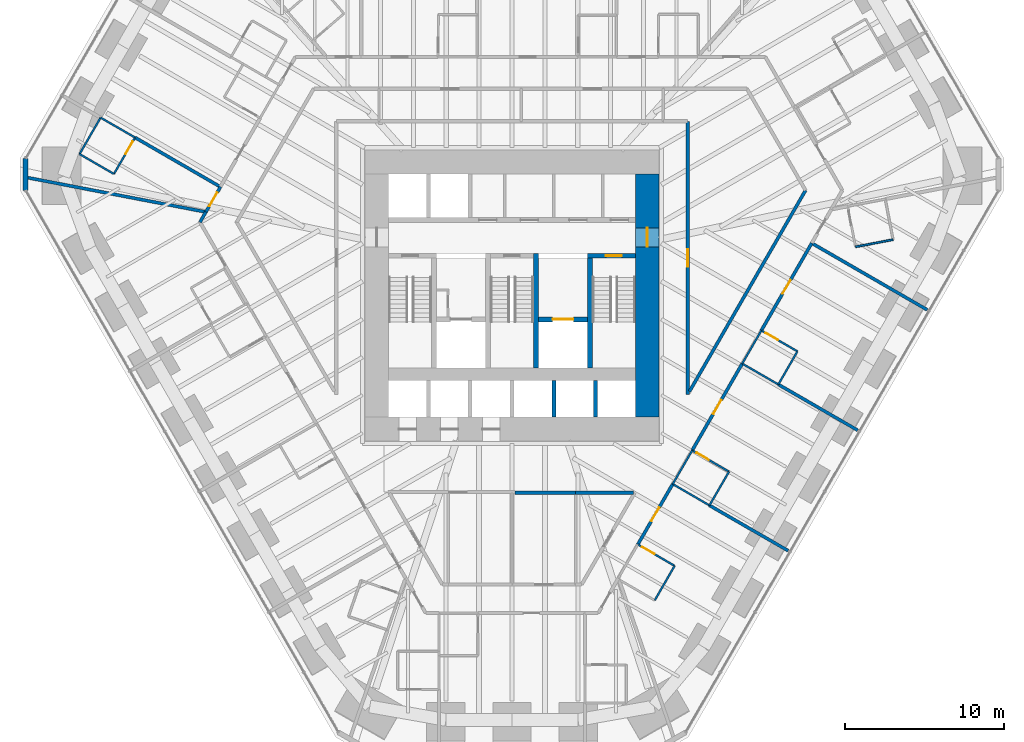
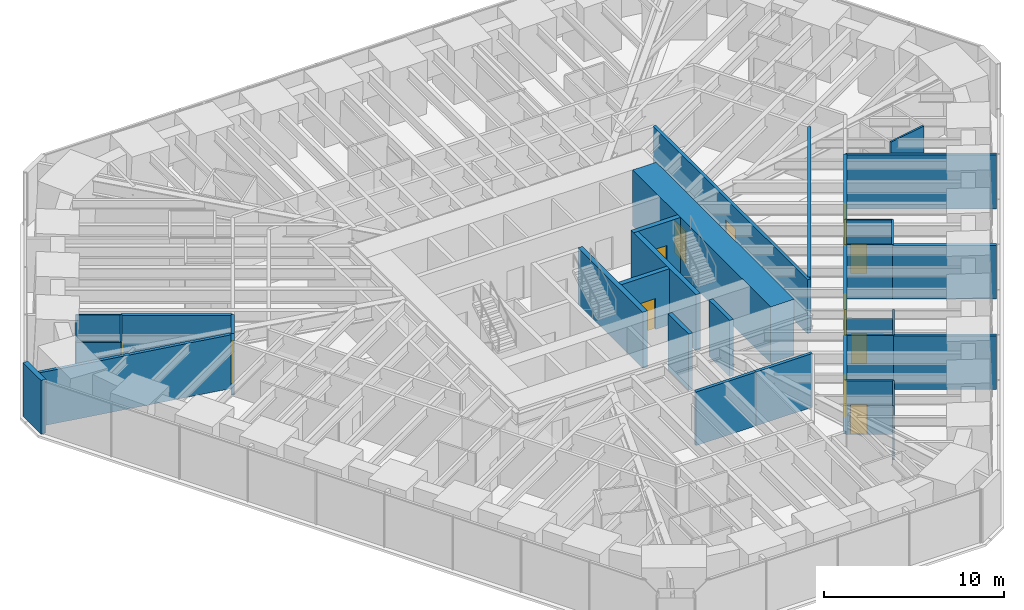
# One storey, part 13 of 17: 37 walls, 12 doors, 12 openings.
"""IFC4 building model written with IfcOpenShell, lengths in metres."""

from ifc_helpers import new_model, si_unit, direction, frame, frame_2d, origin, place, context, subcontext, project, spatial, rectangle, extrude, material, layer, layer_set, type_object, element, fill, save


model = new_model("IFC4")

# Units and contexts
model_context = context("Model", 3, precision=1e-05, world=origin(), true_north=direction((0.0, 1.0)))
body_context = subcontext(model_context, "Body", "Model", "MODEL_VIEW")
ifc_project = project(units=[si_unit("LENGTHUNIT", "METRE"), si_unit("AREAUNIT", "SQUARE_METRE"), si_unit("VOLUMEUNIT", "CUBIC_METRE"), si_unit("PLANEANGLEUNIT", "RADIAN"), si_unit("MASSUNIT", "GRAM", prefix="KILO")], contexts=[model_context])

# Site, building, storey
site_placement = place(None, origin())
site = spatial("IfcSite", under=ifc_project, at=site_placement, CompositionType="ELEMENT")
building_placement = place(site_placement, origin())
building = spatial("IfcBuilding", under=site, at=building_placement, Name="Sandreach Pilgrim Tower", CompositionType="ELEMENT")
storey_placement = place(building_placement, frame((0.0, 0.0, 64.800048828125)))
storey = spatial("IfcBuildingStorey", under=building, at=storey_placement, Name="L15", CompositionType="ELEMENT", Elevation=64.800048828125)

# Walls
ifc_material_1 = material(Name="Moisture-resistant gypsum board on steel studs", Category="steel")
ifc_layer_1 = layer(ifc_material_1, 0.1201171875)
ifc_layer_set_1 = layer_set([ifc_layer_1], Name="Bathroom partition 120")
wall_type_1 = type_object("IfcWallType", Name="Bathroom partition 120", PredefinedType="PARTITIONING", material=ifc_layer_set_1)
wall_1_placement = place(storey_placement, frame((-27.179931640625, 7.340087890625, 0.0), z_axis=(0.0, 0.0, 1.0), x_axis=(0.865508881864, -0.500893576935, 0.0)))
element("IfcWall", 1, at=wall_1_placement, inside=storey, type_object=wall_type_1, Name="Bathroom partition L15-003", PredefinedType="PARTITIONING", context=body_context, shape_type="SweptSolid", body=[
    extrude(rectangle(XDim=2.49560546875, YDim=0.1201171875, at=frame_2d((1.247802734375, 0.0))), origin(), (0.0, 0.0, 1.0), 3.639892578125),
])
wall_2_placement = place(storey_placement, frame((-25.860107421875, 9.6298828125, 0.0), z_axis=(0.0, 0.0, 1.0), x_axis=(-0.499378545839, -0.866383903334, 0.0)))
element("IfcWall", 2, at=wall_2_placement, inside=storey, type_object=wall_type_1, Name="Bathroom partition L15-004", PredefinedType="PARTITIONING", context=body_context, shape_type="SweptSolid", body=[
    extrude(rectangle(XDim=2.642822265625, YDim=0.1201171875, at=frame_2d((1.3212890625, 0.0))), origin(), (0.0, 0.0, 1.0), 3.639892578125),
])
wall_3_placement = place(storey_placement, frame((-25.860107421875, 9.6298828125, 0.0), z_axis=(0.0, 0.0, 1.0), x_axis=(0.86653430447, -0.499117520406, 0.0)))
element("IfcWall", 3, at=wall_3_placement, inside=storey, type_object=wall_type_1, Name="Bathroom partition L15-005", PredefinedType="PARTITIONING", context=body_context, shape_type="SweptSolid", body=[
    extrude(rectangle(XDim=2.50439453125, YDim=0.1201171875, at=frame_2d((1.252197265625, 0.0))), origin(), (0.0, 0.0, 1.0), 3.639892578125),
])

# Wall, opening, door
wall_4_placement = place(storey_placement, frame((-25.02001953125, 6.090087890625, 0.0), z_axis=(0.0, 0.0, 1.0), x_axis=(0.502282305835, 0.864703697948, 0.0)))
wall_4 = element("IfcWall", 4, at=wall_4_placement, inside=storey, type_object=wall_type_1, Name="Bathroom partition L15-006", PredefinedType="PARTITIONING", context=body_context, shape_type="SweptSolid", body=[
    extrude(rectangle(XDim=2.64794921875, YDim=0.1201171875, at=frame_2d((1.323974609375, 0.0))), origin(), (0.0, 0.0, 1.0), 3.639892578125),
])
opening_1_placement = place(wall_4_placement, frame((1.4482421875, 0.0, 0.0)))
opening_1 = element("IfcOpeningElement", 5, at=opening_1_placement, cuts=wall_4, Name="Opening D09-18B", PredefinedType="OPENING", context=body_context, shape_type="SweptSolid", body=[
    extrude(rectangle(XDim=0.89990234375, YDim=2.030029296875, at=frame_2d((0.449951171875, 1.01513671875))), frame((0.0, 0.06005859375, 0.0), z_axis=(0.0, -1.0, 0.0), x_axis=(1.0, 0.0, 0.0)), (0.0, 0.0, 1.0), 0.1201171875),
])
ifc_material_2 = material(Name="Timber door, steel frame", Category="steel")
door_type_1 = type_object("IfcDoorType", Name="Bathroom door", OperationType="SINGLE_SWING_LEFT", PredefinedType="DOOR", material=ifc_material_2)
door_1_placement = place(opening_1_placement, origin())
door_1 = element("IfcDoor", 6, at=door_1_placement, inside=storey, type_object=door_type_1, Name="Door 1518B", OperationType="SINGLE_SWING_RIGHT", OverallHeight=2.030029296875, OverallWidth=0.89990234375, PredefinedType="DOOR", context=body_context, shape_type="SweptSolid", body=[
    extrude(rectangle(XDim=0.89990234375, YDim=2.030029296875, at=frame_2d((0.449951171875, 1.01513671875))), frame((0.0, 0.02490234375, 0.0), z_axis=(0.0, -1.0, 0.0), x_axis=(1.0, 0.0, 0.0)), (0.0, 0.0, 1.0), 0.050048828125),
])
fill(opening_1, door_1)

# Walls
wall_5_placement = place(storey_placement, frame((8.969970703125, -20.7099609375, 0.0), z_axis=(0.0, 0.0, 1.0), x_axis=(0.499159685399, 0.866510016372, 0.0)))
element("IfcWall", 7, at=wall_5_placement, inside=storey, type_object=wall_type_1, Name="Bathroom partition L15-115", PredefinedType="PARTITIONING", context=body_context, shape_type="SweptSolid", body=[
    extrude(rectangle(XDim=2.504150390625, YDim=0.1201171875, at=frame_2d((1.251953125, 0.0))), origin(), (0.0, 0.0, 1.0), 3.639892578125),
])
wall_6_placement = place(storey_placement, frame((10.10009765625, -13.39990234375, 0.0), z_axis=(0.0, 0.0, 1.0), x_axis=(0.501856726365, 0.86495076519, 0.0)))
element("IfcWall", 8, at=wall_6_placement, inside=storey, type_object=wall_type_1, Name="Bathroom partition L15-121", PredefinedType="PARTITIONING", context=body_context, shape_type="SweptSolid", body=[
    extrude(rectangle(XDim=2.450927734375, YDim=0.1201171875, at=frame_2d((1.2255859375, 0.0))), origin(), (0.0, 0.0, 1.0), 3.639892578125),
])
wall_7_placement = place(storey_placement, frame((10.10009765625, -13.39990234375, 0.0), z_axis=(0.0, 0.0, 1.0), x_axis=(0.864966903181, -0.501828911485, 0.0)))
element("IfcWall", 9, at=wall_7_placement, inside=storey, type_object=wall_type_1, Name="Bathroom partition L15-122", PredefinedType="PARTITIONING", context=body_context, shape_type="SweptSolid", body=[
    extrude(rectangle(XDim=2.67041015625, YDim=0.1201171875, at=frame_2d((1.335205078125, 0.0))), origin(), (0.0, 0.0, 1.0), 3.639892578125),
])

# Wall, opening, door
wall_8_placement = place(storey_placement, frame((10.219970703125, -18.5400390625, 0.0), z_axis=(0.0, 0.0, 1.0), x_axis=(-0.86498992408, 0.501789229896, 0.0)))
wall_8 = element("IfcWall", 10, at=wall_8_placement, inside=storey, type_object=wall_type_1, Name="Bathroom partition L15-124", PredefinedType="PARTITIONING", context=body_context, shape_type="SweptSolid", body=[
    extrude(rectangle(XDim=2.670654296875, YDim=0.1201171875, at=frame_2d((1.33544921875, 0.0))), origin(), (0.0, 0.0, 1.0), 3.639892578125),
])
opening_2_placement = place(wall_8_placement, frame((1.470458984375, 0.0, 0.0)))
opening_2 = element("IfcOpeningElement", 11, at=opening_2_placement, cuts=wall_8, Name="Opening D09-10B", PredefinedType="OPENING", context=body_context, shape_type="SweptSolid", body=[
    extrude(rectangle(XDim=0.89990234375, YDim=2.030029296875, at=frame_2d((0.449951171875, 1.01513671875))), frame((0.0, 0.06005859375, 0.0), z_axis=(0.0, -1.0, 0.0), x_axis=(1.0, 0.0, 0.0)), (0.0, 0.0, 1.0), 0.1201171875),
])
door_2_placement = place(opening_2_placement, origin())
door_2 = element("IfcDoor", 12, at=door_2_placement, inside=storey, type_object=door_type_1, Name="Door 1510B", OperationType="SINGLE_SWING_RIGHT", OverallHeight=2.030029296875, OverallWidth=0.89990234375, PredefinedType="DOOR", context=body_context, shape_type="SweptSolid", body=[
    extrude(rectangle(XDim=0.89990234375, YDim=2.030029296875, at=frame_2d((0.449951171875, 1.01513671875))), frame((0.0, 0.02490234375, 0.0), z_axis=(0.0, -1.0, 0.0), x_axis=(1.0, 0.0, 0.0)), (0.0, 0.0, 1.0), 0.050048828125),
])
fill(opening_2, door_2)

# Wall
wall_9_placement = place(storey_placement, frame((12.409912109375, -14.739990234375, 0.0), z_axis=(0.0, 0.0, 1.0), x_axis=(0.501813488763, 0.864975850817, 0.0)))
element("IfcWall", 13, at=wall_9_placement, inside=storey, type_object=wall_type_1, Name="Bathroom partition L15-132", PredefinedType="PARTITIONING", context=body_context, shape_type="SweptSolid", body=[
    extrude(rectangle(XDim=2.451171875, YDim=0.1201171875, at=frame_2d((1.2255859375, 0.0))), origin(), (0.0, 0.0, 1.0), 3.639892578125),
])

# Wall, opening, door
wall_10_placement = place(storey_placement, frame((13.639892578125, -12.6201171875, 0.0), z_axis=(0.0, 0.0, 1.0), x_axis=(-0.864966903181, 0.501828911485, 0.0)))
wall_10 = element("IfcWall", 14, at=wall_10_placement, inside=storey, type_object=wall_type_1, Name="Bathroom partition L15-133", PredefinedType="PARTITIONING", context=body_context, shape_type="SweptSolid", body=[
    extrude(rectangle(XDim=2.67041015625, YDim=0.1201171875, at=frame_2d((1.335205078125, 0.0))), origin(), (0.0, 0.0, 1.0), 3.0380859375),
])
opening_3_placement = place(wall_10_placement, frame((1.470458984375, 0.0, 0.0)))
opening_3 = element("IfcOpeningElement", 15, at=opening_3_placement, cuts=wall_10, Name="Opening D09-09B", PredefinedType="OPENING", context=body_context, shape_type="SweptSolid", body=[
    extrude(rectangle(XDim=0.89990234375, YDim=2.030029296875, at=frame_2d((0.449951171875, 1.01513671875))), frame((0.0, 0.06005859375, 0.0), z_axis=(0.0, -1.0, 0.0), x_axis=(1.0, 0.0, 0.0)), (0.0, 0.0, 1.0), 0.1201171875),
])
door_3_placement = place(opening_3_placement, origin())
door_3 = element("IfcDoor", 16, at=door_3_placement, inside=storey, type_object=door_type_1, Name="Door 1509B", OperationType="SINGLE_SWING_RIGHT", OverallHeight=2.030029296875, OverallWidth=0.89990234375, PredefinedType="DOOR", context=body_context, shape_type="SweptSolid", body=[
    extrude(rectangle(XDim=0.89990234375, YDim=2.030029296875, at=frame_2d((0.449951171875, 1.01513671875))), frame((0.0, 0.02490234375, 0.0), z_axis=(0.0, -1.0, 0.0), x_axis=(1.0, 0.0, 0.0)), (0.0, 0.0, 1.0), 0.050048828125),
])
fill(opening_3, door_3)

# Walls
wall_11_placement = place(storey_placement, frame((14.469970703125, -5.830078125, 0.0), z_axis=(0.0, 0.0, 1.0), x_axis=(0.499693115345, 0.866202511239, 0.0)))
element("IfcWall", 17, at=wall_11_placement, inside=storey, type_object=wall_type_1, Name="Bathroom partition L15-134", PredefinedType="PARTITIONING", context=body_context, shape_type="SweptSolid", body=[
    extrude(rectangle(XDim=2.4013671875, YDim=0.1201171875, at=frame_2d((1.20068359375, 0.0))), origin(), (0.0, 0.0, 1.0), 3.639892578125),
])
wall_12_placement = place(storey_placement, frame((14.469970703125, -5.830078125, 0.0), z_axis=(0.0, 0.0, 1.0), x_axis=(0.866010296064, -0.500026166427, 0.0)))
element("IfcWall", 18, at=wall_12_placement, inside=storey, type_object=wall_type_1, Name="Bathroom partition L15-135", PredefinedType="PARTITIONING", context=body_context, shape_type="SweptSolid", body=[
    extrude(rectangle(XDim=2.620849609375, YDim=0.1201171875, at=frame_2d((1.310546875, 0.0))), origin(), (0.0, 0.0, 1.0), 3.639892578125),
])
wall_13_placement = place(storey_placement, frame((16.739990234375, -7.139892578125, 0.0), z_axis=(0.0, 0.0, 1.0), x_axis=(0.499737123639, 0.866177122335, 0.0)))
element("IfcWall", 19, at=wall_13_placement, inside=storey, type_object=wall_type_1, Name="Bathroom partition L15-141", PredefinedType="PARTITIONING", context=body_context, shape_type="SweptSolid", body=[
    extrude(rectangle(XDim=2.401123046875, YDim=0.1201171875, at=frame_2d((1.20068359375, 0.0))), origin(), (0.0, 0.0, 1.0), 3.639892578125),
])

# Wall, opening, door
wall_14_placement = place(storey_placement, frame((17.93994140625, -5.06005859375, 0.0), z_axis=(0.0, 0.0, 1.0), x_axis=(-0.866114241029, 0.499846097802, 0.0)))
wall_14 = element("IfcWall", 20, at=wall_14_placement, inside=storey, type_object=wall_type_1, Name="Bathroom partition L15-147", PredefinedType="PARTITIONING", context=body_context, shape_type="SweptSolid", body=[
    extrude(rectangle(XDim=2.620849609375, YDim=0.1201171875, at=frame_2d((1.310546875, 0.0))), origin(), (0.0, 0.0, 1.0), 3.639892578125),
])
opening_4_placement = place(wall_14_placement, frame((1.4208984375, 0.0, 0.0)))
opening_4 = element("IfcOpeningElement", 21, at=opening_4_placement, cuts=wall_14, Name="Opening D09-08B", PredefinedType="OPENING", context=body_context, shape_type="SweptSolid", body=[
    extrude(rectangle(XDim=0.89990234375, YDim=2.030029296875, at=frame_2d((0.449951171875, 1.01513671875))), frame((0.0, 0.06005859375, 0.0), z_axis=(0.0, -1.0, 0.0), x_axis=(1.0, 0.0, 0.0)), (0.0, 0.0, 1.0), 0.1201171875),
])
door_4_placement = place(opening_4_placement, origin())
door_4 = element("IfcDoor", 22, at=door_4_placement, inside=storey, type_object=door_type_1, Name="Door 1508B", OperationType="SINGLE_SWING_RIGHT", OverallHeight=2.030029296875, OverallWidth=0.89990234375, PredefinedType="DOOR", context=body_context, shape_type="SweptSolid", body=[
    extrude(rectangle(XDim=0.89990234375, YDim=2.030029296875, at=frame_2d((0.449951171875, 1.01513671875))), frame((0.0, 0.02490234375, 0.0), z_axis=(0.0, -1.0, 0.0), x_axis=(1.0, 0.0, 0.0)), (0.0, 0.0, 1.0), 0.050048828125),
])
fill(opening_4, door_4)

# Walls
wall_15_placement = place(storey_placement, frame((21.590087890625, 1.510009765625, 0.0), z_axis=(0.0, 0.0, 1.0), x_axis=(0.982303859288, 0.187294228499, 0.0)))
element("IfcWall", 23, at=wall_15_placement, inside=storey, type_object=wall_type_1, Name="Bathroom partition L15-159", PredefinedType="PARTITIONING", context=body_context, shape_type="SweptSolid", body=[
    extrude(rectangle(XDim=2.40234375, YDim=0.1201171875, at=frame_2d((1.201171875, 0.0))), origin(), (0.0, 0.0, 1.0), 3.639892578125),
])
ifc_material_3 = material(Name="Concrete 10000 psi", Category="concrete")
ifc_layer_2 = layer(ifc_material_3, 0.300048828125)
ifc_layer_set_2 = layer_set([ifc_layer_2], Name="Core inner wall 300")
wall_type_2 = type_object("IfcWallType", Name="Core inner wall 300", PredefinedType="SHEAR", material=ifc_layer_set_2)
for number, where, z_axis, x_axis, name in (
    (24, (1.5, -6.10009765625, 0.0), (0.0, 0.0, 1.0), (0.0, 1.0, 0.0), "Core wall I2 L15"),
    (25, (4.89990234375, -6.10009765625, 0.0), (0.0, 0.0, 1.0), (0.0, 1.0, 0.0), "Core wall I3 L15"),
):
    element("IfcWall", number, at=place(storey_placement, frame(where, z_axis=z_axis, x_axis=x_axis)), inside=storey, type_object=wall_type_2, Name=name, PredefinedType="SHEAR", context=body_context, shape_type="SweptSolid", body=[
        extrude(rectangle(XDim=7.2001953125, YDim=0.300048828125, at=frame_2d((3.60009765625, 0.0))), origin(), (0.0, 0.0, 1.0), 3.800048828125),
    ])

# Wall, opening, door
wall_16_placement = place(storey_placement, frame((4.75, 0.949951171875, 0.0), z_axis=(0.0, 0.0, 1.0), x_axis=(1.0, 0.0, 0.0)))
wall_16 = element("IfcWall", 26, at=wall_16_placement, inside=storey, type_object=wall_type_2, Name="Core wall SN2 L15", PredefinedType="SHEAR", context=body_context, shape_type="SweptSolid", body=[
    extrude(rectangle(XDim=3.0, YDim=0.300048828125, at=frame_2d((1.5, 0.0))), origin(), (0.0, 0.0, 1.0), 3.800048828125),
])
opening_5_placement = place(wall_16_placement, frame((1.14990234375, 0.0, 0.0)))
opening_5 = element("IfcOpeningElement", 27, at=opening_5_placement, cuts=wall_16, Name="Opening D10S-ST2", PredefinedType="OPENING", context=body_context, shape_type="SweptSolid", body=[
    extrude(rectangle(XDim=1.0, YDim=2.199951171875, at=frame_2d((0.5, 1.10009765625))), frame((0.0, 0.14990234375, 0.0), z_axis=(0.0, -1.0, 0.0), x_axis=(1.0, 0.0, 0.0)), (0.0, 0.0, 1.0), 0.300048828125),
])
ifc_material_4 = material(Name="Steel door and frame", Category="steel")
door_type_2 = type_object("IfcDoorType", Name="Stair door", OperationType="SINGLE_SWING_LEFT", PredefinedType="DOOR", material=ifc_material_4)
door_5_placement = place(opening_5_placement, origin())
door_5 = element("IfcDoor", 28, at=door_5_placement, inside=storey, type_object=door_type_2, Name="Stair door ST2 L15", OperationType="SINGLE_SWING_RIGHT", OverallHeight=2.199951171875, OverallWidth=1.0, PredefinedType="DOOR", context=body_context, shape_type="SweptSolid", body=[
    extrude(rectangle(XDim=1.0, YDim=2.199951171875, at=frame_2d((0.5, 1.10009765625))), frame((0.0, 0.02490234375, 0.0), z_axis=(0.0, -1.0, 0.0), x_axis=(1.0, 0.0, 0.0)), (0.0, 0.0, 1.0), 0.050048828125),
])
fill(opening_5, door_5)

wall_17_placement = place(storey_placement, frame((1.64990234375, -3.050048828125, 0.0), z_axis=(0.0, 0.0, 1.0), x_axis=(1.0, 0.0, 0.0)))
wall_17 = element("IfcWall", 29, at=wall_17_placement, inside=storey, type_object=wall_type_2, Name="Core wall FL2 L15", PredefinedType="SHEAR", context=body_context, shape_type="SweptSolid", body=[
    extrude(rectangle(XDim=3.10009765625, YDim=0.300048828125, at=frame_2d((1.550048828125, 0.0))), origin(), (0.0, 0.0, 1.0), 3.800048828125),
])
opening_6_placement = place(wall_17_placement, frame((0.89990234375, 0.0, 0.0)))
opening_6 = element("IfcOpeningElement", 30, at=opening_6_placement, cuts=wall_17, Name="Opening LD13", PredefinedType="OPENING", context=body_context, shape_type="SweptSolid", body=[
    extrude(rectangle(XDim=1.300048828125, YDim=2.10009765625, at=frame_2d((0.64990234375, 1.050048828125))), frame((0.0, 0.14990234375, 0.0), z_axis=(0.0, -1.0, 0.0), x_axis=(1.0, 0.0, 0.0)), (0.0, 0.0, 1.0), 0.300048828125),
])
ifc_material_5 = material(Name="Steel door and frame", Category="steel")
door_type_3 = type_object("IfcDoorType", Name="Fire service lift landing door", OperationType="DOUBLE_DOOR_SLIDING", PredefinedType="DOOR", material=ifc_material_5)
door_6_placement = place(opening_6_placement, origin())
door_6 = element("IfcDoor", 31, at=door_6_placement, inside=storey, type_object=door_type_3, Name="Lift landing door FS2 L15", OperationType="DOUBLE_DOOR_SLIDING", OverallHeight=2.10009765625, OverallWidth=1.300048828125, PredefinedType="DOOR", context=body_context, shape_type="SweptSolid", body=[
    extrude(rectangle(XDim=1.300048828125, YDim=2.10009765625, at=frame_2d((0.64990234375, 1.050048828125))), frame((0.0, 0.02490234375, 0.0), z_axis=(0.0, -1.0, 0.0), x_axis=(1.0, 0.0, 0.0)), (0.0, 0.0, 1.0), 0.050048828125),
])
fill(opening_6, door_6)

ifc_material_6 = material(Name="Concrete 10000 psi", Category="concrete")
ifc_layer_3 = layer(ifc_material_6, 1.5)
ifc_layer_set_3 = layer_set([ifc_layer_3], Name="Core wall 1500")
wall_type_3 = type_object("IfcWallType", Name="Core wall 1500", PredefinedType="SHEAR", material=ifc_layer_set_3)
wall_18_placement = place(storey_placement, frame((8.5, -9.199951171875, 0.0), z_axis=(0.0, 0.0, 1.0), x_axis=(0.0, 1.0, 0.0)))
wall_18 = element("IfcWall", 32, at=wall_18_placement, inside=storey, type_object=wall_type_3, Name="Core wall E L15", PredefinedType="SHEAR", context=body_context, shape_type="SweptSolid", body=[
    extrude(rectangle(XDim=15.300048828125, YDim=1.5, at=frame_2d((7.64990234375, 0.0))), origin(), (0.0, 0.0, 1.0), 3.800048828125),
])
opening_7_placement = place(wall_18_placement, frame((10.699951171875, 0.0, 0.0)))
opening_7 = element("IfcOpeningElement", 33, at=opening_7_placement, cuts=wall_18, Name="Opening D12F-E", PredefinedType="OPENING", context=body_context, shape_type="SweptSolid", body=[
    extrude(rectangle(XDim=1.199951171875, YDim=2.199951171875, at=frame_2d((0.60009765625, 1.10009765625))), frame((0.0, 0.75, 0.0), z_axis=(0.0, -1.0, 0.0), x_axis=(1.0, 0.0, 0.0)), (0.0, 0.0, 1.0), 1.5),
])
ifc_material_7 = material(Name="Steel door and frame", Category="steel")
door_type_4 = type_object("IfcDoorType", Name="Fire lobby door", OperationType="SINGLE_SWING_LEFT", PredefinedType="DOOR", material=ifc_material_7)
door_7_placement = place(opening_7_placement, origin())
door_7 = element("IfcDoor", 34, at=door_7_placement, inside=storey, type_object=door_type_4, Name="Fire service lobby door E L15", OperationType="SINGLE_SWING_RIGHT", OverallHeight=2.199951171875, OverallWidth=1.199951171875, PredefinedType="DOOR", context=body_context, shape_type="SweptSolid", body=[
    extrude(rectangle(XDim=1.199951171875, YDim=2.199951171875, at=frame_2d((0.60009765625, 1.10009765625))), frame((0.0, 0.02490234375, 0.0), z_axis=(0.0, -1.0, 0.0), x_axis=(1.0, 0.0, 0.0)), (0.0, 0.0, 1.0), 0.050048828125),
])
fill(opening_7, door_7)

# Wall
ifc_material_8 = material(Name="Gypsum board on steel studs, two layers each side", Category="steel")
ifc_layer_4 = layer(ifc_material_8, 0.199951171875)
ifc_layer_set_4 = layer_set([ifc_layer_4], Name="Corridor wall 200")
wall_type_4 = type_object("IfcWallType", Name="Corridor wall 200", PredefinedType="PARTITIONING", material=ifc_layer_set_4)
wall_19_placement = place(storey_placement, frame((-19.610107421875, 3.06005859375, 0.0), z_axis=(0.0, 0.0, 1.0), x_axis=(0.50068472101, 0.865629718844, 0.0)))
element("IfcWall", 35, at=wall_19_placement, inside=storey, type_object=wall_type_4, Name="Corridor wall L15-012", PredefinedType="PARTITIONING", context=body_context, shape_type="SweptSolid", body=[
    extrude(rectangle(XDim=0.7392578125, YDim=0.199951171875, at=frame_2d((0.36962890625, 0.0))), origin(), (0.0, 0.0, 1.0), 3.639892578125),
])

# Wall, opening, door
wall_20_placement = place(storey_placement, frame((-18.320068359375, 5.280029296875, 0.0), z_axis=(0.0, 0.0, 1.0), x_axis=(-0.503140236709, -0.864204780249, 0.0)))
wall_20 = element("IfcWall", 36, at=wall_20_placement, inside=storey, type_object=wall_type_4, Name="Corridor wall L15-018", PredefinedType="PARTITIONING", context=body_context, shape_type="SweptSolid", body=[
    extrude(rectangle(XDim=1.828369140625, YDim=0.199951171875, at=frame_2d((0.9140625, 0.0))), origin(), (0.0, 0.0, 1.0), 3.639892578125),
])
opening_8_placement = place(wall_20_placement, frame((0.4140625, 0.0, 0.0)))
opening_8 = element("IfcOpeningElement", 37, at=opening_8_placement, cuts=wall_20, Name="Opening D10-18", PredefinedType="OPENING", context=body_context, shape_type="SweptSolid", body=[
    extrude(rectangle(XDim=1.0, YDim=2.1298828125, at=frame_2d((0.5, 1.06494140625))), frame((0.0, 0.10009765625, 0.0), z_axis=(0.0, -1.0, 0.0), x_axis=(1.0, 0.0, 0.0)), (0.0, 0.0, 1.0), 0.199951171875),
])
ifc_material_9 = material(Name="Steel door and frame", Category="steel")
door_type_5 = type_object("IfcDoorType", Name="Guest room entry door", OperationType="SINGLE_SWING_LEFT", PredefinedType="DOOR", material=ifc_material_9)
door_8_placement = place(opening_8_placement, origin())
door_8 = element("IfcDoor", 38, at=door_8_placement, inside=storey, type_object=door_type_5, Name="Door 1518", OperationType="SINGLE_SWING_LEFT", OverallHeight=2.1298828125, OverallWidth=1.0, PredefinedType="DOOR", context=body_context, shape_type="SweptSolid", body=[
    extrude(rectangle(XDim=1.0, YDim=2.1298828125, at=frame_2d((0.5, 1.06494140625))), frame((0.0, 0.02490234375, 0.0), z_axis=(0.0, -1.0, 0.0), x_axis=(1.0, 0.0, 0.0)), (0.0, 0.0, 1.0), 0.050048828125),
])
fill(opening_8, door_8)

# Walls
wall_21_placement = place(storey_placement, frame((0.179931640625, -13.949951171875, 0.0), z_axis=(0.0, 0.0, 1.0), x_axis=(1.0, 0.0, 0.0)))
element("IfcWall", 39, at=wall_21_placement, inside=storey, type_object=wall_type_4, Name="Corridor wall L15-087", PredefinedType="PARTITIONING", context=body_context, shape_type="SweptSolid", body=[
    extrude(rectangle(XDim=3.820068359375, YDim=0.199951171875, at=frame_2d((1.91015625, 0.0))), origin(), (0.0, 0.0, 1.0), 3.639892578125),
])
wall_22_placement = place(storey_placement, frame((4.0, -13.949951171875, 0.0), z_axis=(0.0, 0.0, 1.0), x_axis=(1.0, 0.0, 0.0)))
element("IfcWall", 40, at=wall_22_placement, inside=storey, type_object=wall_type_4, Name="Corridor wall L15-094", PredefinedType="PARTITIONING", context=body_context, shape_type="SweptSolid", body=[
    extrude(rectangle(XDim=3.635009765625, YDim=0.199951171875, at=frame_2d((1.8173828125, 0.0))), origin(), (0.0, 0.0, 1.0), 3.639892578125),
])

# Wall, opening, door
wall_23_placement = place(storey_placement, frame((7.908203125, -17.198974609375, 0.0), z_axis=(0.0, 0.0, 1.0), x_axis=(0.49974333473, 0.866173538844, 0.0)))
wall_23 = element("IfcWall", 41, at=wall_23_placement, inside=storey, type_object=wall_type_4, Name="Corridor wall L15-114", PredefinedType="PARTITIONING", context=body_context, shape_type="SweptSolid", body=[
    extrude(rectangle(XDim=4.385986328125, YDim=0.199951171875, at=frame_2d((2.19287109375, 0.0))), origin(), (0.0, 0.0, 1.0), 3.639892578125),
])
opening_9_placement = place(wall_23_placement, frame((1.69287109375, 0.0, 0.0)))
opening_9 = element("IfcOpeningElement", 42, at=opening_9_placement, cuts=wall_23, Name="Opening D10-10", PredefinedType="OPENING", context=body_context, shape_type="SweptSolid", body=[
    extrude(rectangle(XDim=1.0, YDim=2.1298828125, at=frame_2d((0.5, 1.06494140625))), frame((0.0, 0.10009765625, 0.0), z_axis=(0.0, -1.0, 0.0), x_axis=(1.0, 0.0, 0.0)), (0.0, 0.0, 1.0), 0.199951171875),
])
door_9_placement = place(opening_9_placement, origin())
door_9 = element("IfcDoor", 43, at=door_9_placement, inside=storey, type_object=door_type_5, Name="Door 1510", OperationType="SINGLE_SWING_LEFT", OverallHeight=2.1298828125, OverallWidth=1.0, PredefinedType="DOOR", context=body_context, shape_type="SweptSolid", body=[
    extrude(rectangle(XDim=1.0, YDim=2.1298828125, at=frame_2d((0.5, 1.06494140625))), frame((0.0, 0.02490234375, 0.0), z_axis=(0.0, -1.0, 0.0), x_axis=(1.0, 0.0, 0.0)), (0.0, 0.0, 1.0), 0.050048828125),
])
fill(opening_9, door_9)

wall_24_placement = place(storey_placement, frame((11.050048828125, -7.760009765625, 0.0), z_axis=(0.0, 0.0, 1.0), x_axis=(0.0, 1.0, 0.0)))
wall_24 = element("IfcWall", 44, at=wall_24_placement, inside=storey, type_object=wall_type_4, Name="Corridor wall L15-126", PredefinedType="PARTITIONING", context=body_context, shape_type="SweptSolid", body=[
    extrude(rectangle(XDim=17.159912109375, YDim=0.199951171875, at=frame_2d((8.580078125, 0.0))), origin(), (0.0, 0.0, 1.0), 3.639892578125),
])
opening_10_placement = place(wall_24_placement, frame((8.030029296875, 0.0, 0.0)))
opening_10 = element("IfcOpeningElement", 45, at=opening_10_placement, cuts=wall_24, Name="Opening D11H-M04", PredefinedType="OPENING", context=body_context, shape_type="SweptSolid", body=[
    extrude(rectangle(XDim=1.10009765625, YDim=2.199951171875, at=frame_2d((0.550048828125, 1.10009765625))), frame((0.0, 0.10009765625, 0.0), z_axis=(0.0, -1.0, 0.0), x_axis=(1.0, 0.0, 0.0)), (0.0, 0.0, 1.0), 0.199951171875),
])
ifc_material_10 = material(Name="Steel door and frame", Category="steel")
door_type_6 = type_object("IfcDoorType", Name="Back of house door", OperationType="SINGLE_SWING_LEFT", PredefinedType="DOOR", material=ifc_material_10)
door_10_placement = place(opening_10_placement, origin())
door_10 = element("IfcDoor", 46, at=door_10_placement, inside=storey, type_object=door_type_6, Name="Door 15M04", OperationType="SINGLE_SWING_LEFT", OverallHeight=2.199951171875, OverallWidth=1.10009765625, PredefinedType="DOOR", context=body_context, shape_type="SweptSolid", body=[
    extrude(rectangle(XDim=1.10009765625, YDim=2.199951171875, at=frame_2d((0.550048828125, 1.10009765625))), frame((0.0, 0.02490234375, 0.0), z_axis=(0.0, -1.0, 0.0), x_axis=(1.0, 0.0, 0.0)), (0.0, 0.0, 1.0), 0.050048828125),
])
fill(opening_10, door_10)

wall_25_placement = place(storey_placement, frame((11.327880859375, -11.27880859375, 0.0), z_axis=(0.0, 0.0, 1.0), x_axis=(0.499554430625, 0.866282500598, 0.0)))
wall_25 = element("IfcWall", 47, at=wall_25_placement, inside=storey, type_object=wall_type_4, Name="Corridor wall L15-127", PredefinedType="PARTITIONING", context=body_context, shape_type="SweptSolid", body=[
    extrude(rectangle(XDim=6.289794921875, YDim=0.199951171875, at=frame_2d((3.14501953125, 0.0))), origin(), (0.0, 0.0, 1.0), 3.639892578125),
])
opening_11_placement = place(wall_25_placement, frame((2.64501953125, 0.0, 0.0)))
opening_11 = element("IfcOpeningElement", 48, at=opening_11_placement, cuts=wall_25, Name="Opening D10-09", PredefinedType="OPENING", context=body_context, shape_type="SweptSolid", body=[
    extrude(rectangle(XDim=1.0, YDim=2.1298828125, at=frame_2d((0.5, 1.06494140625))), frame((0.0, 0.10009765625, 0.0), z_axis=(0.0, -1.0, 0.0), x_axis=(1.0, 0.0, 0.0)), (0.0, 0.0, 1.0), 0.199951171875),
])
door_11_placement = place(opening_11_placement, origin())
door_11 = element("IfcDoor", 49, at=door_11_placement, inside=storey, type_object=door_type_5, Name="Door 1509", OperationType="SINGLE_SWING_LEFT", OverallHeight=2.1298828125, OverallWidth=1.0, PredefinedType="DOOR", context=body_context, shape_type="SweptSolid", body=[
    extrude(rectangle(XDim=1.0, YDim=2.1298828125, at=frame_2d((0.5, 1.06494140625))), frame((0.0, 0.02490234375, 0.0), z_axis=(0.0, -1.0, 0.0), x_axis=(1.0, 0.0, 0.0)), (0.0, 0.0, 1.0), 0.050048828125),
])
fill(opening_11, door_11)

wall_26_placement = place(storey_placement, frame((15.669921875, -3.75, 0.0), z_axis=(0.0, 0.0, 1.0), x_axis=(0.500061360627, 0.865989974311, 0.0)))
wall_26 = element("IfcWall", 50, at=wall_26_placement, inside=storey, type_object=wall_type_4, Name="Corridor wall L15-137", PredefinedType="PARTITIONING", context=body_context, shape_type="SweptSolid", body=[
    extrude(rectangle(XDim=6.339599609375, YDim=0.199951171875, at=frame_2d((3.169921875, 0.0))), origin(), (0.0, 0.0, 1.0), 3.639892578125),
])
opening_12_placement = place(wall_26_placement, frame((2.669921875, 0.0, 0.0)))
opening_12 = element("IfcOpeningElement", 51, at=opening_12_placement, cuts=wall_26, Name="Opening D10-08", PredefinedType="OPENING", context=body_context, shape_type="SweptSolid", body=[
    extrude(rectangle(XDim=1.0, YDim=2.1298828125, at=frame_2d((0.5, 1.06494140625))), frame((0.0, 0.10009765625, 0.0), z_axis=(0.0, -1.0, 0.0), x_axis=(1.0, 0.0, 0.0)), (0.0, 0.0, 1.0), 0.199951171875),
])
door_12_placement = place(opening_12_placement, origin())
door_12 = element("IfcDoor", 52, at=door_12_placement, inside=storey, type_object=door_type_5, Name="Door 1508", OperationType="SINGLE_SWING_LEFT", OverallHeight=2.1298828125, OverallWidth=1.0, PredefinedType="DOOR", context=body_context, shape_type="SweptSolid", body=[
    extrude(rectangle(XDim=1.0, YDim=2.1298828125, at=frame_2d((0.5, 1.06494140625))), frame((0.0, 0.02490234375, 0.0), z_axis=(0.0, -1.0, 0.0), x_axis=(1.0, 0.0, 0.0)), (0.0, 0.0, 1.0), 0.050048828125),
])
fill(opening_12, door_12)

# Walls
wall_27_placement = place(storey_placement, frame((18.449951171875, 5.06005859375, 0.0), z_axis=(0.0, 0.0, 1.0), x_axis=(-0.499910730718, -0.866076937294, 0.0)))
element("IfcWall", 53, at=wall_27_placement, inside=storey, type_object=wall_type_4, Name="Corridor wall L15-148", PredefinedType="PARTITIONING", context=body_context, shape_type="SweptSolid", body=[
    extrude(rectangle(XDim=14.592529296875, YDim=0.199951171875, at=frame_2d((7.29638671875, 0.0))), origin(), (0.0, 0.0, 1.0), 3.639892578125),
])
ifc_material_11 = material(Name="Double steel stud acoustic wall, gypsum board", Category="steel")
ifc_layer_5 = layer(ifc_material_11, 0.199951171875)
ifc_layer_set_5 = layer_set([ifc_layer_5], Name="Party wall 200")
wall_type_5 = type_object("IfcWallType", Name="Party wall 200", PredefinedType="PARTITIONING", material=ifc_layer_set_5)
wall_28_placement = place(storey_placement, frame((-30.590576171875, 5.88427734375, 0.0), z_axis=(0.0, 0.0, 1.0), x_axis=(0.981983289605, -0.188967772219, 0.0)))
element("IfcWall", 54, at=wall_28_placement, inside=storey, type_object=wall_type_5, Name="Party wall L15-001", PredefinedType="PARTITIONING", context=body_context, shape_type="SweptSolid", body=[
    extrude(rectangle(XDim=11.5087890625, YDim=0.199951171875, at=frame_2d((5.75439453125, 0.0))), origin(), (0.0, 0.0, 1.0), 3.639892578125),
])
wall_29_placement = place(storey_placement, frame((-23.68994140625, 8.3798828125, 0.0), z_axis=(0.0, 0.0, 1.0), x_axis=(0.865658018331, -0.500635791068, 0.0)))
element("IfcWall", 55, at=wall_29_placement, inside=storey, type_object=wall_type_5, Name="Party wall L15-009", PredefinedType="PARTITIONING", context=body_context, shape_type="SweptSolid", body=[
    extrude(rectangle(XDim=6.1767578125, YDim=0.199951171875, at=frame_2d((3.08837890625, 0.0))), origin(), (0.0, 0.0, 1.0), 3.639892578125),
])
wall_30_placement = place(storey_placement, frame((16.73974609375, -7.140625, 0.0), z_axis=(0.0, 0.0, 1.0), x_axis=(0.865985044037, -0.500069898618, 0.0)))
element("IfcWall", 56, at=wall_30_placement, inside=storey, type_object=wall_type_5, Name="Party wall L15-140", PredefinedType="PARTITIONING", context=body_context, shape_type="SweptSolid", body=[
    extrude(rectangle(XDim=5.758056640625, YDim=0.199951171875, at=frame_2d((2.87890625, 0.0))), origin(), (0.0, 0.0, 1.0), 3.639892578125),
])
wall_31_placement = place(storey_placement, frame((17.35595703125, -17.590087890625, 0.0), z_axis=(0.0, 0.0, 1.0), x_axis=(-0.866442508333, 0.499276856818, 0.0)))
element("IfcWall", 57, at=wall_31_placement, inside=storey, type_object=wall_type_5, Name="Party wall L15-142", PredefinedType="PARTITIONING", context=body_context, shape_type="SweptSolid", body=[
    extrude(rectangle(XDim=5.70849609375, YDim=0.199951171875, at=frame_2d((2.854248046875, 0.0))), origin(), (0.0, 0.0, 1.0), 3.639892578125),
])
wall_32_placement = place(storey_placement, frame((26.09619140625, -2.449951171875, 0.0), z_axis=(0.0, 0.0, 1.0), x_axis=(-0.865997946826, 0.500047553832, 0.0)))
element("IfcWall", 58, at=wall_32_placement, inside=storey, type_object=wall_type_5, Name="Party wall L15-165", PredefinedType="PARTITIONING", context=body_context, shape_type="SweptSolid", body=[
    extrude(rectangle(XDim=8.364013671875, YDim=0.199951171875, at=frame_2d((4.18212890625, 0.0))), origin(), (0.0, 0.0, 1.0), 3.639892578125),
])
ifc_material_12 = material(Name="Gypsum shaft wall on steel studs, two layers of shaft liner board", Category="steel")
ifc_layer_6 = layer(ifc_material_12, 0.25)
ifc_layer_set_6 = layer_set([ifc_layer_6], Name="Shaft partition 250")
wall_type_6 = type_object("IfcWallType", Name="Shaft partition 250", PredefinedType="PARTITIONING", material=ifc_layer_set_6)
for number, where, z_axis, x_axis, name in (
    (59, (2.625, -9.199951171875, 0.0), (0.0, 0.0, 1.0), (0.0, 1.0, 0.0), "Shaft partition XS3 L15"),
    (60, (5.25, -9.199951171875, 0.0), (0.0, 0.0, 1.0), (0.0, 1.0, 0.0), "Shaft partition XS4 L15"),
):
    element("IfcWall", number, at=place(storey_placement, frame(where, z_axis=z_axis, x_axis=x_axis)), inside=storey, type_object=wall_type_6, Name=name, PredefinedType="PARTITIONING", context=body_context, shape_type="SweptSolid", body=[
        extrude(rectangle(XDim=2.300048828125, YDim=0.25, at=frame_2d((1.14990234375, 0.0))), origin(), (0.0, 0.0, 1.0), 3.800048828125),
    ])
ifc_material_13 = material(Name="Terracotta rainscreen on concrete", Category="masonry")
ifc_layer_7 = layer(ifc_material_13, 0.300048828125)
ifc_layer_set_7 = layer_set([ifc_layer_7], Name="Terracotta chamfer pier")
wall_type_7 = type_object("IfcWallType", Name="Terracotta chamfer pier", PredefinedType="SOLIDWALL", material=ifc_layer_set_7)
wall_33_placement = place(storey_placement, frame((-30.576171875, 5.062255859375, 0.0), z_axis=(0.0, 0.0, 1.0), x_axis=(0.0, 1.0, 0.0)))
element("IfcWall", 61, at=wall_33_placement, inside=storey, type_object=wall_type_7, Name="Chamfer pier L15 SW", PredefinedType="SOLIDWALL", context=body_context, shape_type="SweptSolid", body=[
    extrude(rectangle(XDim=2.0, YDim=0.300048828125, at=frame_2d((1.0, 0.0))), origin(), (0.0, 0.0, 1.0), 3.639892578125),
])

save(model, "model.ifc")
